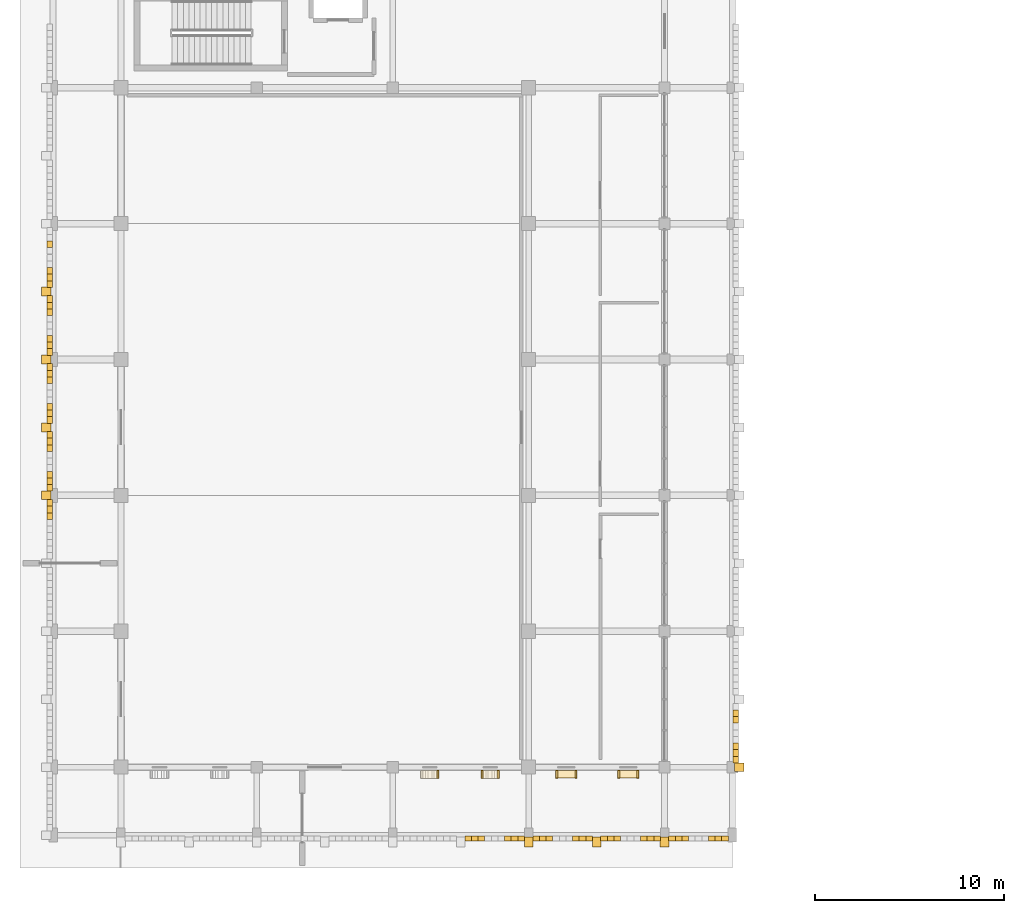
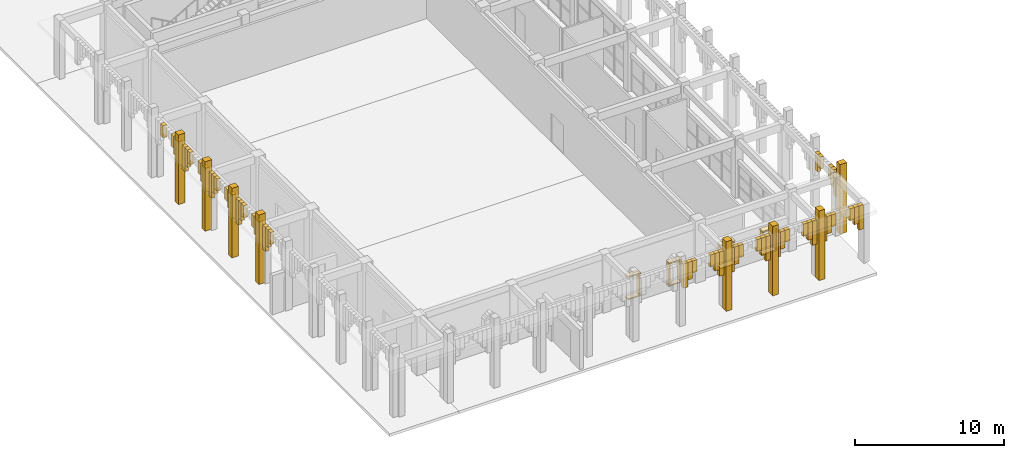
# One storey, part 47 of 72: 77 coverings.
"""IFC4 building model written with IfcOpenShell, lengths in metres."""

from ifc_helpers import new_model, si_unit, direction, frame, origin, origin_2d, place, context, subcontext, project, spatial, rectangle, extrude, material, layer, layer_set, type_object, element, save


model = new_model("IFC4")

# Units and contexts
model_context = context("Model", 3, precision=1e-05, world=origin(), true_north=direction((0.0, 1.0)))
body_context = subcontext(model_context, "Body", "Model", "MODEL_VIEW")
ifc_project = project(units=[si_unit("LENGTHUNIT", "METRE"), si_unit("AREAUNIT", "SQUARE_METRE"), si_unit("VOLUMEUNIT", "CUBIC_METRE"), si_unit("PLANEANGLEUNIT", "RADIAN"), si_unit("MASSUNIT", "GRAM", prefix="KILO")], contexts=[model_context])

# Site, building, storey
site_placement = place(None, origin())
site = spatial("IfcSite", under=ifc_project, at=site_placement, CompositionType="ELEMENT")
building_placement = place(site_placement, origin())
building = spatial("IfcBuilding", under=site, at=building_placement, Name="Nzembalo Square Collegiate School", CompositionType="ELEMENT")
storey_placement = place(building_placement, origin())
storey = spatial("IfcBuildingStorey", under=building, at=storey_placement, Name="L00", CompositionType="ELEMENT", Elevation=0.0)

# Coverings
ifc_material_1 = material(Name="Precast concrete C40/50 arch voussoir", Category="concrete")
ifc_layer_1 = layer(ifc_material_1, 0.1201171875, Name="Precast concrete C40/50 arch voussoir")
ifc_layer_set_1 = layer_set([ifc_layer_1], Name="Precast concrete C40/50 arch voussoir")
covering_type_1 = type_object("IfcCoveringType", Name="AR01", PredefinedType="CLADDING", material=ifc_layer_set_1)
covering_1_placement = place(storey_placement, frame((4.6201171875, 21.7021484375, 3.810546875), z_axis=(0.0, 0.0, 1.0), x_axis=(1.0, 0.0, 0.0)))
element("IfcCovering", 1, at=covering_1_placement, inside=storey, type_object=covering_type_1, Name="Gothic pointed arch voussoir AR01-005-6", PredefinedType="CLADDING", context=body_context, shape_type="SweptSolid", body=[
    extrude(rectangle(XDim=0.280029296875, YDim=0.35107421875, at=origin_2d()), origin(), (0.0, 0.0, 1.0), 0.989501953125),
])
covering_2_placement = place(storey_placement, frame((4.6201171875, 22.05322265625, 3.361328125), z_axis=(0.0, 0.0, 1.0), x_axis=(1.0, 0.0, 0.0)))
element("IfcCovering", 2, at=covering_2_placement, inside=storey, type_object=covering_type_1, Name="Gothic pointed arch voussoir AR01-005-7", PredefinedType="CLADDING", context=body_context, shape_type="SweptSolid", body=[
    extrude(rectangle(XDim=0.280029296875, YDim=0.35107421875, at=origin_2d()), origin(), (0.0, 0.0, 1.0), 1.438720703125),
])
covering_3_placement = place(storey_placement, frame((4.6201171875, 22.404296875, 2.80859375), z_axis=(0.0, 0.0, 1.0), x_axis=(1.0, 0.0, 0.0)))
element("IfcCovering", 3, at=covering_3_placement, inside=storey, type_object=covering_type_1, Name="Gothic pointed arch voussoir AR01-005-8", PredefinedType="CLADDING", context=body_context, shape_type="SweptSolid", body=[
    extrude(rectangle(XDim=0.280029296875, YDim=0.35107421875, at=origin_2d()), origin(), (0.0, 0.0, 1.0), 1.991455078125),
])
covering_4_placement = place(storey_placement, frame((4.6201171875, 23.195556640625, 2.808349609375), z_axis=(0.0, 0.0, 1.0), x_axis=(1.0, 0.0, 0.0)))
element("IfcCovering", 4, at=covering_4_placement, inside=storey, type_object=covering_type_1, Name="Gothic pointed arch voussoir AR01-006-0", PredefinedType="CLADDING", context=body_context, shape_type="SweptSolid", body=[
    extrude(rectangle(XDim=0.280029296875, YDim=0.35107421875, at=origin_2d()), origin(), (0.0, 0.0, 1.0), 1.99169921875),
])
covering_5_placement = place(storey_placement, frame((4.6201171875, 23.546630859375, 3.361083984375), z_axis=(0.0, 0.0, 1.0), x_axis=(1.0, 0.0, 0.0)))
element("IfcCovering", 5, at=covering_5_placement, inside=storey, type_object=covering_type_1, Name="Gothic pointed arch voussoir AR01-006-1", PredefinedType="CLADDING", context=body_context, shape_type="SweptSolid", body=[
    extrude(rectangle(XDim=0.280029296875, YDim=0.35107421875, at=origin_2d()), origin(), (0.0, 0.0, 1.0), 1.43896484375),
])
for number, where, z_axis, x_axis, name in (
    (6, (4.6201171875, 23.897705078125, 3.810546875), (0.0, 0.0, 1.0), (1.0, 0.0, 0.0), "Gothic pointed arch voussoir AR01-006-2"),
    (7, (4.6201171875, 25.30224609375, 3.810546875), (0.0, 0.0, 1.0), (1.0, 0.0, 0.0), "Gothic pointed arch voussoir AR01-006-6"),
):
    element("IfcCovering", number, at=place(storey_placement, frame(where, z_axis=z_axis, x_axis=x_axis)), inside=storey, type_object=covering_type_1, Name=name, PredefinedType="CLADDING", context=body_context, shape_type="SweptSolid", body=[
        extrude(rectangle(XDim=0.280029296875, YDim=0.35107421875, at=origin_2d()), origin(), (0.0, 0.0, 1.0), 0.989501953125),
    ])
covering_6_placement = place(storey_placement, frame((4.6201171875, 25.6533203125, 3.361328125), z_axis=(0.0, 0.0, 1.0), x_axis=(1.0, 0.0, 0.0)))
element("IfcCovering", 8, at=covering_6_placement, inside=storey, type_object=covering_type_1, Name="Gothic pointed arch voussoir AR01-006-7", PredefinedType="CLADDING", context=body_context, shape_type="SweptSolid", body=[
    extrude(rectangle(XDim=0.280029296875, YDim=0.35107421875, at=origin_2d()), origin(), (0.0, 0.0, 1.0), 1.438720703125),
])
covering_7_placement = place(storey_placement, frame((4.6201171875, 26.00439453125, 2.80859375), z_axis=(0.0, 0.0, 1.0), x_axis=(1.0, 0.0, 0.0)))
element("IfcCovering", 9, at=covering_7_placement, inside=storey, type_object=covering_type_1, Name="Gothic pointed arch voussoir AR01-006-8", PredefinedType="CLADDING", context=body_context, shape_type="SweptSolid", body=[
    extrude(rectangle(XDim=0.280029296875, YDim=0.35107421875, at=origin_2d()), origin(), (0.0, 0.0, 1.0), 1.991455078125),
])
covering_8_placement = place(storey_placement, frame((4.43994140625, 22.800048828125, 0.0), z_axis=(0.0, 0.0, 1.0), x_axis=(1.0, 0.0, 0.0)))
element("IfcCovering", 10, at=covering_8_placement, inside=storey, type_object=covering_type_1, Name="Gothic arcade buttress pinnacle AR01-B006", PredefinedType="CLADDING", context=body_context, shape_type="SweptSolid", body=[
    extrude(rectangle(XDim=0.52001953125, YDim=0.4599609375, at=origin_2d()), origin(), (0.0, 0.0, 1.0), 5.699951171875),
])
covering_9_placement = place(storey_placement, frame((4.6201171875, 26.795654296875, 2.808349609375), z_axis=(0.0, 0.0, 1.0), x_axis=(1.0, 0.0, 0.0)))
element("IfcCovering", 11, at=covering_9_placement, inside=storey, type_object=covering_type_1, Name="Gothic pointed arch voussoir AR01-007-0", PredefinedType="CLADDING", context=body_context, shape_type="SweptSolid", body=[
    extrude(rectangle(XDim=0.280029296875, YDim=0.35107421875, at=origin_2d()), origin(), (0.0, 0.0, 1.0), 1.99169921875),
])
covering_10_placement = place(storey_placement, frame((4.6201171875, 27.146728515625, 3.361083984375), z_axis=(0.0, 0.0, 1.0), x_axis=(1.0, 0.0, 0.0)))
element("IfcCovering", 12, at=covering_10_placement, inside=storey, type_object=covering_type_1, Name="Gothic pointed arch voussoir AR01-007-1", PredefinedType="CLADDING", context=body_context, shape_type="SweptSolid", body=[
    extrude(rectangle(XDim=0.280029296875, YDim=0.35107421875, at=origin_2d()), origin(), (0.0, 0.0, 1.0), 1.43896484375),
])
for number, where, z_axis, x_axis, name in (
    (13, (4.6201171875, 27.497802734375, 3.810546875), (0.0, 0.0, 1.0), (1.0, 0.0, 0.0), "Gothic pointed arch voussoir AR01-007-2"),
    (14, (4.6201171875, 28.902099609375, 3.810546875), (0.0, 0.0, 1.0), (1.0, 0.0, 0.0), "Gothic pointed arch voussoir AR01-007-6"),
):
    element("IfcCovering", number, at=place(storey_placement, frame(where, z_axis=z_axis, x_axis=x_axis)), inside=storey, type_object=covering_type_1, Name=name, PredefinedType="CLADDING", context=body_context, shape_type="SweptSolid", body=[
        extrude(rectangle(XDim=0.280029296875, YDim=0.35107421875, at=origin_2d()), origin(), (0.0, 0.0, 1.0), 0.989501953125),
    ])
covering_11_placement = place(storey_placement, frame((4.6201171875, 29.25341796875, 3.361328125), z_axis=(0.0, 0.0, 1.0), x_axis=(1.0, 0.0, 0.0)))
element("IfcCovering", 15, at=covering_11_placement, inside=storey, type_object=covering_type_1, Name="Gothic pointed arch voussoir AR01-007-7", PredefinedType="CLADDING", context=body_context, shape_type="SweptSolid", body=[
    extrude(rectangle(XDim=0.280029296875, YDim=0.35107421875, at=origin_2d()), origin(), (0.0, 0.0, 1.0), 1.438720703125),
])
covering_12_placement = place(storey_placement, frame((4.6201171875, 29.6044921875, 2.80859375), z_axis=(0.0, 0.0, 1.0), x_axis=(1.0, 0.0, 0.0)))
element("IfcCovering", 16, at=covering_12_placement, inside=storey, type_object=covering_type_1, Name="Gothic pointed arch voussoir AR01-007-8", PredefinedType="CLADDING", context=body_context, shape_type="SweptSolid", body=[
    extrude(rectangle(XDim=0.280029296875, YDim=0.35107421875, at=origin_2d()), origin(), (0.0, 0.0, 1.0), 1.991455078125),
])
covering_13_placement = place(storey_placement, frame((4.43994140625, 26.39990234375, 0.0), z_axis=(0.0, 0.0, 1.0), x_axis=(1.0, 0.0, 0.0)))
element("IfcCovering", 17, at=covering_13_placement, inside=storey, type_object=covering_type_1, Name="Gothic arcade buttress pinnacle AR01-B007", PredefinedType="CLADDING", context=body_context, shape_type="SweptSolid", body=[
    extrude(rectangle(XDim=0.52001953125, YDim=0.4599609375, at=origin_2d()), origin(), (0.0, 0.0, 1.0), 5.699951171875),
])
covering_14_placement = place(storey_placement, frame((4.6201171875, 30.3955078125, 2.808349609375), z_axis=(0.0, 0.0, 1.0), x_axis=(1.0, 0.0, 0.0)))
element("IfcCovering", 18, at=covering_14_placement, inside=storey, type_object=covering_type_1, Name="Gothic pointed arch voussoir AR01-008-0", PredefinedType="CLADDING", context=body_context, shape_type="SweptSolid", body=[
    extrude(rectangle(XDim=0.280029296875, YDim=0.35107421875, at=origin_2d()), origin(), (0.0, 0.0, 1.0), 1.99169921875),
])
covering_15_placement = place(storey_placement, frame((4.6201171875, 30.74658203125, 3.361083984375), z_axis=(0.0, 0.0, 1.0), x_axis=(1.0, 0.0, 0.0)))
element("IfcCovering", 19, at=covering_15_placement, inside=storey, type_object=covering_type_1, Name="Gothic pointed arch voussoir AR01-008-1", PredefinedType="CLADDING", context=body_context, shape_type="SweptSolid", body=[
    extrude(rectangle(XDim=0.280029296875, YDim=0.35107421875, at=origin_2d()), origin(), (0.0, 0.0, 1.0), 1.43896484375),
])
for number, where, z_axis, x_axis, name in (
    (20, (4.6201171875, 31.097900390625, 3.810546875), (0.0, 0.0, 1.0), (1.0, 0.0, 0.0), "Gothic pointed arch voussoir AR01-008-2"),
    (21, (4.6201171875, 32.502197265625, 3.810546875), (0.0, 0.0, 1.0), (1.0, 0.0, 0.0), "Gothic pointed arch voussoir AR01-008-6"),
):
    element("IfcCovering", number, at=place(storey_placement, frame(where, z_axis=z_axis, x_axis=x_axis)), inside=storey, type_object=covering_type_1, Name=name, PredefinedType="CLADDING", context=body_context, shape_type="SweptSolid", body=[
        extrude(rectangle(XDim=0.280029296875, YDim=0.35107421875, at=origin_2d()), origin(), (0.0, 0.0, 1.0), 0.989501953125),
    ])
covering_16_placement = place(storey_placement, frame((4.6201171875, 32.853271484375, 3.361328125), z_axis=(0.0, 0.0, 1.0), x_axis=(1.0, 0.0, 0.0)))
element("IfcCovering", 22, at=covering_16_placement, inside=storey, type_object=covering_type_1, Name="Gothic pointed arch voussoir AR01-008-7", PredefinedType="CLADDING", context=body_context, shape_type="SweptSolid", body=[
    extrude(rectangle(XDim=0.280029296875, YDim=0.35107421875, at=origin_2d()), origin(), (0.0, 0.0, 1.0), 1.438720703125),
])
covering_17_placement = place(storey_placement, frame((4.6201171875, 33.204345703125, 2.80859375), z_axis=(0.0, 0.0, 1.0), x_axis=(1.0, 0.0, 0.0)))
element("IfcCovering", 23, at=covering_17_placement, inside=storey, type_object=covering_type_1, Name="Gothic pointed arch voussoir AR01-008-8", PredefinedType="CLADDING", context=body_context, shape_type="SweptSolid", body=[
    extrude(rectangle(XDim=0.280029296875, YDim=0.35107421875, at=origin_2d()), origin(), (0.0, 0.0, 1.0), 1.991455078125),
])
covering_18_placement = place(storey_placement, frame((4.43994140625, 30.0, 0.0), z_axis=(0.0, 0.0, 1.0), x_axis=(1.0, 0.0, 0.0)))
element("IfcCovering", 24, at=covering_18_placement, inside=storey, type_object=covering_type_1, Name="Gothic arcade buttress pinnacle AR01-B008", PredefinedType="CLADDING", context=body_context, shape_type="SweptSolid", body=[
    extrude(rectangle(XDim=0.52001953125, YDim=0.4599609375, at=origin_2d()), origin(), (0.0, 0.0, 1.0), 5.699951171875),
])
covering_19_placement = place(storey_placement, frame((4.6201171875, 33.99560546875, 2.808349609375), z_axis=(0.0, 0.0, 1.0), x_axis=(1.0, 0.0, 0.0)))
element("IfcCovering", 25, at=covering_19_placement, inside=storey, type_object=covering_type_1, Name="Gothic pointed arch voussoir AR01-009-0", PredefinedType="CLADDING", context=body_context, shape_type="SweptSolid", body=[
    extrude(rectangle(XDim=0.280029296875, YDim=0.35107421875, at=origin_2d()), origin(), (0.0, 0.0, 1.0), 1.99169921875),
])
covering_20_placement = place(storey_placement, frame((4.6201171875, 34.3466796875, 3.361083984375), z_axis=(0.0, 0.0, 1.0), x_axis=(1.0, 0.0, 0.0)))
element("IfcCovering", 26, at=covering_20_placement, inside=storey, type_object=covering_type_1, Name="Gothic pointed arch voussoir AR01-009-1", PredefinedType="CLADDING", context=body_context, shape_type="SweptSolid", body=[
    extrude(rectangle(XDim=0.280029296875, YDim=0.35107421875, at=origin_2d()), origin(), (0.0, 0.0, 1.0), 1.43896484375),
])
for number, where, z_axis, x_axis, name in (
    (27, (4.6201171875, 34.69775390625, 3.810546875), (0.0, 0.0, 1.0), (1.0, 0.0, 0.0), "Gothic pointed arch voussoir AR01-009-2"),
    (28, (4.6201171875, 36.102294921875, 3.810546875), (0.0, 0.0, 1.0), (1.0, 0.0, 0.0), "Gothic pointed arch voussoir AR01-009-6"),
):
    element("IfcCovering", number, at=place(storey_placement, frame(where, z_axis=z_axis, x_axis=x_axis)), inside=storey, type_object=covering_type_1, Name=name, PredefinedType="CLADDING", context=body_context, shape_type="SweptSolid", body=[
        extrude(rectangle(XDim=0.280029296875, YDim=0.35107421875, at=origin_2d()), origin(), (0.0, 0.0, 1.0), 0.989501953125),
    ])
covering_21_placement = place(storey_placement, frame((4.43994140625, 33.60009765625, 0.0), z_axis=(0.0, 0.0, 1.0), x_axis=(1.0, 0.0, 0.0)))
element("IfcCovering", 29, at=covering_21_placement, inside=storey, type_object=covering_type_1, Name="Gothic arcade buttress pinnacle AR01-B009", PredefinedType="CLADDING", context=body_context, shape_type="SweptSolid", body=[
    extrude(rectangle(XDim=0.52001953125, YDim=0.4599609375, at=origin_2d()), origin(), (0.0, 0.0, 1.0), 5.699951171875),
])
covering_22_placement = place(storey_placement, frame((26.795654296875, 4.6201171875, 2.808349609375), z_axis=(0.0, 0.0, 1.0), x_axis=(1.0, 0.0, 0.0)))
element("IfcCovering", 30, at=covering_22_placement, inside=storey, type_object=covering_type_1, Name="Gothic pointed arch voussoir AR01-027-0", PredefinedType="CLADDING", context=body_context, shape_type="SweptSolid", body=[
    extrude(rectangle(XDim=0.35107421875, YDim=0.280029296875, at=origin_2d()), origin(), (0.0, 0.0, 1.0), 1.99169921875),
])
covering_23_placement = place(storey_placement, frame((27.146728515625, 4.6201171875, 3.361083984375), z_axis=(0.0, 0.0, 1.0), x_axis=(1.0, 0.0, 0.0)))
element("IfcCovering", 31, at=covering_23_placement, inside=storey, type_object=covering_type_1, Name="Gothic pointed arch voussoir AR01-027-1", PredefinedType="CLADDING", context=body_context, shape_type="SweptSolid", body=[
    extrude(rectangle(XDim=0.35107421875, YDim=0.280029296875, at=origin_2d()), origin(), (0.0, 0.0, 1.0), 1.43896484375),
])
for number, where, z_axis, x_axis, name in (
    (32, (27.497802734375, 4.6201171875, 3.810546875), (0.0, 0.0, 1.0), (1.0, 0.0, 0.0), "Gothic pointed arch voussoir AR01-027-2"),
    (33, (28.902099609375, 4.6201171875, 3.810546875), (0.0, 0.0, 1.0), (1.0, 0.0, 0.0), "Gothic pointed arch voussoir AR01-027-6"),
):
    element("IfcCovering", number, at=place(storey_placement, frame(where, z_axis=z_axis, x_axis=x_axis)), inside=storey, type_object=covering_type_1, Name=name, PredefinedType="CLADDING", context=body_context, shape_type="SweptSolid", body=[
        extrude(rectangle(XDim=0.35107421875, YDim=0.280029296875, at=origin_2d()), origin(), (0.0, 0.0, 1.0), 0.989501953125),
    ])
covering_24_placement = place(storey_placement, frame((29.25341796875, 4.6201171875, 3.361328125), z_axis=(0.0, 0.0, 1.0), x_axis=(1.0, 0.0, 0.0)))
element("IfcCovering", 34, at=covering_24_placement, inside=storey, type_object=covering_type_1, Name="Gothic pointed arch voussoir AR01-027-7", PredefinedType="CLADDING", context=body_context, shape_type="SweptSolid", body=[
    extrude(rectangle(XDim=0.35107421875, YDim=0.280029296875, at=origin_2d()), origin(), (0.0, 0.0, 1.0), 1.438720703125),
])
covering_25_placement = place(storey_placement, frame((29.6044921875, 4.6201171875, 2.80859375), z_axis=(0.0, 0.0, 1.0), x_axis=(1.0, 0.0, 0.0)))
element("IfcCovering", 35, at=covering_25_placement, inside=storey, type_object=covering_type_1, Name="Gothic pointed arch voussoir AR01-027-8", PredefinedType="CLADDING", context=body_context, shape_type="SweptSolid", body=[
    extrude(rectangle(XDim=0.35107421875, YDim=0.280029296875, at=origin_2d()), origin(), (0.0, 0.0, 1.0), 1.991455078125),
])
covering_26_placement = place(storey_placement, frame((30.3955078125, 4.6201171875, 2.808349609375), z_axis=(0.0, 0.0, 1.0), x_axis=(1.0, 0.0, 0.0)))
element("IfcCovering", 36, at=covering_26_placement, inside=storey, type_object=covering_type_1, Name="Gothic pointed arch voussoir AR01-028-0", PredefinedType="CLADDING", context=body_context, shape_type="SweptSolid", body=[
    extrude(rectangle(XDim=0.35107421875, YDim=0.280029296875, at=origin_2d()), origin(), (0.0, 0.0, 1.0), 1.99169921875),
])
covering_27_placement = place(storey_placement, frame((30.74658203125, 4.6201171875, 3.361083984375), z_axis=(0.0, 0.0, 1.0), x_axis=(1.0, 0.0, 0.0)))
element("IfcCovering", 37, at=covering_27_placement, inside=storey, type_object=covering_type_1, Name="Gothic pointed arch voussoir AR01-028-1", PredefinedType="CLADDING", context=body_context, shape_type="SweptSolid", body=[
    extrude(rectangle(XDim=0.35107421875, YDim=0.280029296875, at=origin_2d()), origin(), (0.0, 0.0, 1.0), 1.43896484375),
])
for number, where, z_axis, x_axis, name in (
    (38, (31.097900390625, 4.6201171875, 3.810546875), (0.0, 0.0, 1.0), (1.0, 0.0, 0.0), "Gothic pointed arch voussoir AR01-028-2"),
    (39, (32.502197265625, 4.6201171875, 3.810546875), (0.0, 0.0, 1.0), (1.0, 0.0, 0.0), "Gothic pointed arch voussoir AR01-028-6"),
):
    element("IfcCovering", number, at=place(storey_placement, frame(where, z_axis=z_axis, x_axis=x_axis)), inside=storey, type_object=covering_type_1, Name=name, PredefinedType="CLADDING", context=body_context, shape_type="SweptSolid", body=[
        extrude(rectangle(XDim=0.35107421875, YDim=0.280029296875, at=origin_2d()), origin(), (0.0, 0.0, 1.0), 0.989501953125),
    ])
covering_28_placement = place(storey_placement, frame((32.853271484375, 4.6201171875, 3.361328125), z_axis=(0.0, 0.0, 1.0), x_axis=(1.0, 0.0, 0.0)))
element("IfcCovering", 40, at=covering_28_placement, inside=storey, type_object=covering_type_1, Name="Gothic pointed arch voussoir AR01-028-7", PredefinedType="CLADDING", context=body_context, shape_type="SweptSolid", body=[
    extrude(rectangle(XDim=0.35107421875, YDim=0.280029296875, at=origin_2d()), origin(), (0.0, 0.0, 1.0), 1.438720703125),
])
covering_29_placement = place(storey_placement, frame((33.204345703125, 4.6201171875, 2.80859375), z_axis=(0.0, 0.0, 1.0), x_axis=(1.0, 0.0, 0.0)))
element("IfcCovering", 41, at=covering_29_placement, inside=storey, type_object=covering_type_1, Name="Gothic pointed arch voussoir AR01-028-8", PredefinedType="CLADDING", context=body_context, shape_type="SweptSolid", body=[
    extrude(rectangle(XDim=0.35107421875, YDim=0.280029296875, at=origin_2d()), origin(), (0.0, 0.0, 1.0), 1.991455078125),
])
covering_30_placement = place(storey_placement, frame((30.0, 4.43994140625, 0.0), z_axis=(0.0, 0.0, 1.0), x_axis=(1.0, 0.0, 0.0)))
element("IfcCovering", 42, at=covering_30_placement, inside=storey, type_object=covering_type_1, Name="Gothic arcade buttress pinnacle AR01-B028", PredefinedType="CLADDING", context=body_context, shape_type="SweptSolid", body=[
    extrude(rectangle(XDim=0.4599609375, YDim=0.52001953125, at=origin_2d()), origin(), (0.0, 0.0, 1.0), 5.699951171875),
])
covering_31_placement = place(storey_placement, frame((33.99560546875, 4.6201171875, 2.808349609375), z_axis=(0.0, 0.0, 1.0), x_axis=(1.0, 0.0, 0.0)))
element("IfcCovering", 43, at=covering_31_placement, inside=storey, type_object=covering_type_1, Name="Gothic pointed arch voussoir AR01-029-0", PredefinedType="CLADDING", context=body_context, shape_type="SweptSolid", body=[
    extrude(rectangle(XDim=0.35107421875, YDim=0.280029296875, at=origin_2d()), origin(), (0.0, 0.0, 1.0), 1.99169921875),
])
covering_32_placement = place(storey_placement, frame((34.3466796875, 4.6201171875, 3.361083984375), z_axis=(0.0, 0.0, 1.0), x_axis=(1.0, 0.0, 0.0)))
element("IfcCovering", 44, at=covering_32_placement, inside=storey, type_object=covering_type_1, Name="Gothic pointed arch voussoir AR01-029-1", PredefinedType="CLADDING", context=body_context, shape_type="SweptSolid", body=[
    extrude(rectangle(XDim=0.35107421875, YDim=0.280029296875, at=origin_2d()), origin(), (0.0, 0.0, 1.0), 1.43896484375),
])
for number, where, z_axis, x_axis, name in (
    (45, (34.69775390625, 4.6201171875, 3.810546875), (0.0, 0.0, 1.0), (1.0, 0.0, 0.0), "Gothic pointed arch voussoir AR01-029-2"),
    (46, (36.102294921875, 4.6201171875, 3.810546875), (0.0, 0.0, 1.0), (1.0, 0.0, 0.0), "Gothic pointed arch voussoir AR01-029-6"),
):
    element("IfcCovering", number, at=place(storey_placement, frame(where, z_axis=z_axis, x_axis=x_axis)), inside=storey, type_object=covering_type_1, Name=name, PredefinedType="CLADDING", context=body_context, shape_type="SweptSolid", body=[
        extrude(rectangle(XDim=0.35107421875, YDim=0.280029296875, at=origin_2d()), origin(), (0.0, 0.0, 1.0), 0.989501953125),
    ])
covering_33_placement = place(storey_placement, frame((36.453369140625, 4.6201171875, 3.361328125), z_axis=(0.0, 0.0, 1.0), x_axis=(1.0, 0.0, 0.0)))
element("IfcCovering", 47, at=covering_33_placement, inside=storey, type_object=covering_type_1, Name="Gothic pointed arch voussoir AR01-029-7", PredefinedType="CLADDING", context=body_context, shape_type="SweptSolid", body=[
    extrude(rectangle(XDim=0.35107421875, YDim=0.280029296875, at=origin_2d()), origin(), (0.0, 0.0, 1.0), 1.438720703125),
])
covering_34_placement = place(storey_placement, frame((36.804443359375, 4.6201171875, 2.80859375), z_axis=(0.0, 0.0, 1.0), x_axis=(1.0, 0.0, 0.0)))
element("IfcCovering", 48, at=covering_34_placement, inside=storey, type_object=covering_type_1, Name="Gothic pointed arch voussoir AR01-029-8", PredefinedType="CLADDING", context=body_context, shape_type="SweptSolid", body=[
    extrude(rectangle(XDim=0.35107421875, YDim=0.280029296875, at=origin_2d()), origin(), (0.0, 0.0, 1.0), 1.991455078125),
])
covering_35_placement = place(storey_placement, frame((33.60009765625, 4.43994140625, 0.0), z_axis=(0.0, 0.0, 1.0), x_axis=(1.0, 0.0, 0.0)))
element("IfcCovering", 49, at=covering_35_placement, inside=storey, type_object=covering_type_1, Name="Gothic arcade buttress pinnacle AR01-B029", PredefinedType="CLADDING", context=body_context, shape_type="SweptSolid", body=[
    extrude(rectangle(XDim=0.4599609375, YDim=0.52001953125, at=origin_2d()), origin(), (0.0, 0.0, 1.0), 5.699951171875),
])
covering_36_placement = place(storey_placement, frame((37.595703125, 4.6201171875, 2.808349609375), z_axis=(0.0, 0.0, 1.0), x_axis=(1.0, 0.0, 0.0)))
element("IfcCovering", 50, at=covering_36_placement, inside=storey, type_object=covering_type_1, Name="Gothic pointed arch voussoir AR01-030-0", PredefinedType="CLADDING", context=body_context, shape_type="SweptSolid", body=[
    extrude(rectangle(XDim=0.35107421875, YDim=0.280029296875, at=origin_2d()), origin(), (0.0, 0.0, 1.0), 1.99169921875),
])
covering_37_placement = place(storey_placement, frame((37.94677734375, 4.6201171875, 3.361083984375), z_axis=(0.0, 0.0, 1.0), x_axis=(1.0, 0.0, 0.0)))
element("IfcCovering", 51, at=covering_37_placement, inside=storey, type_object=covering_type_1, Name="Gothic pointed arch voussoir AR01-030-1", PredefinedType="CLADDING", context=body_context, shape_type="SweptSolid", body=[
    extrude(rectangle(XDim=0.35107421875, YDim=0.280029296875, at=origin_2d()), origin(), (0.0, 0.0, 1.0), 1.43896484375),
])
for number, where, z_axis, x_axis, name in (
    (52, (38.2978515625, 4.6201171875, 3.810546875), (0.0, 0.0, 1.0), (1.0, 0.0, 0.0), "Gothic pointed arch voussoir AR01-030-2"),
    (53, (39.7021484375, 4.6201171875, 3.810546875), (0.0, 0.0, 1.0), (1.0, 0.0, 0.0), "Gothic pointed arch voussoir AR01-030-6"),
):
    element("IfcCovering", number, at=place(storey_placement, frame(where, z_axis=z_axis, x_axis=x_axis)), inside=storey, type_object=covering_type_1, Name=name, PredefinedType="CLADDING", context=body_context, shape_type="SweptSolid", body=[
        extrude(rectangle(XDim=0.35107421875, YDim=0.280029296875, at=origin_2d()), origin(), (0.0, 0.0, 1.0), 0.989501953125),
    ])
covering_38_placement = place(storey_placement, frame((40.05322265625, 4.6201171875, 3.361328125), z_axis=(0.0, 0.0, 1.0), x_axis=(1.0, 0.0, 0.0)))
element("IfcCovering", 54, at=covering_38_placement, inside=storey, type_object=covering_type_1, Name="Gothic pointed arch voussoir AR01-030-7", PredefinedType="CLADDING", context=body_context, shape_type="SweptSolid", body=[
    extrude(rectangle(XDim=0.35107421875, YDim=0.280029296875, at=origin_2d()), origin(), (0.0, 0.0, 1.0), 1.438720703125),
])
covering_39_placement = place(storey_placement, frame((40.404296875, 4.6201171875, 2.80859375), z_axis=(0.0, 0.0, 1.0), x_axis=(1.0, 0.0, 0.0)))
element("IfcCovering", 55, at=covering_39_placement, inside=storey, type_object=covering_type_1, Name="Gothic pointed arch voussoir AR01-030-8", PredefinedType="CLADDING", context=body_context, shape_type="SweptSolid", body=[
    extrude(rectangle(XDim=0.35107421875, YDim=0.280029296875, at=origin_2d()), origin(), (0.0, 0.0, 1.0), 1.991455078125),
])
covering_40_placement = place(storey_placement, frame((37.199951171875, 4.43994140625, 0.0), z_axis=(0.0, 0.0, 1.0), x_axis=(1.0, 0.0, 0.0)))
element("IfcCovering", 56, at=covering_40_placement, inside=storey, type_object=covering_type_1, Name="Gothic arcade buttress pinnacle AR01-B030", PredefinedType="CLADDING", context=body_context, shape_type="SweptSolid", body=[
    extrude(rectangle(XDim=0.4599609375, YDim=0.52001953125, at=origin_2d()), origin(), (0.0, 0.0, 1.0), 5.699951171875),
])
covering_41_placement = place(storey_placement, frame((40.97998046875, 8.795654296875, 2.808349609375), z_axis=(0.0, 0.0, 1.0), x_axis=(1.0, 0.0, 0.0)))
element("IfcCovering", 57, at=covering_41_placement, inside=storey, type_object=covering_type_1, Name="Gothic pointed arch voussoir AR01-031-0", PredefinedType="CLADDING", context=body_context, shape_type="SweptSolid", body=[
    extrude(rectangle(XDim=0.280029296875, YDim=0.35107421875, at=origin_2d()), origin(), (0.0, 0.0, 1.0), 1.99169921875),
])
covering_42_placement = place(storey_placement, frame((40.97998046875, 9.146728515625, 3.361083984375), z_axis=(0.0, 0.0, 1.0), x_axis=(1.0, 0.0, 0.0)))
element("IfcCovering", 58, at=covering_42_placement, inside=storey, type_object=covering_type_1, Name="Gothic pointed arch voussoir AR01-031-1", PredefinedType="CLADDING", context=body_context, shape_type="SweptSolid", body=[
    extrude(rectangle(XDim=0.280029296875, YDim=0.35107421875, at=origin_2d()), origin(), (0.0, 0.0, 1.0), 1.43896484375),
])
for number, where, z_axis, x_axis, name in (
    (59, (40.97998046875, 9.497802734375, 3.810546875), (0.0, 0.0, 1.0), (1.0, 0.0, 0.0), "Gothic pointed arch voussoir AR01-031-2"),
    (60, (40.97998046875, 10.902099609375, 3.810546875), (0.0, 0.0, 1.0), (1.0, 0.0, 0.0), "Gothic pointed arch voussoir AR01-031-6"),
):
    element("IfcCovering", number, at=place(storey_placement, frame(where, z_axis=z_axis, x_axis=x_axis)), inside=storey, type_object=covering_type_1, Name=name, PredefinedType="CLADDING", context=body_context, shape_type="SweptSolid", body=[
        extrude(rectangle(XDim=0.280029296875, YDim=0.35107421875, at=origin_2d()), origin(), (0.0, 0.0, 1.0), 0.989501953125),
    ])
covering_43_placement = place(storey_placement, frame((40.97998046875, 11.25341796875, 3.361328125), z_axis=(0.0, 0.0, 1.0), x_axis=(1.0, 0.0, 0.0)))
element("IfcCovering", 61, at=covering_43_placement, inside=storey, type_object=covering_type_1, Name="Gothic pointed arch voussoir AR01-031-7", PredefinedType="CLADDING", context=body_context, shape_type="SweptSolid", body=[
    extrude(rectangle(XDim=0.280029296875, YDim=0.35107421875, at=origin_2d()), origin(), (0.0, 0.0, 1.0), 1.438720703125),
])
covering_44_placement = place(storey_placement, frame((41.159912109375, 8.39990234375, 0.0), z_axis=(0.0, 0.0, 1.0), x_axis=(1.0, 0.0, 0.0)))
element("IfcCovering", 62, at=covering_44_placement, inside=storey, type_object=covering_type_1, Name="Gothic arcade buttress pinnacle AR01-B031", PredefinedType="CLADDING", context=body_context, shape_type="SweptSolid", body=[
    extrude(rectangle(XDim=0.52001953125, YDim=0.4599609375, at=origin_2d()), origin(), (0.0, 0.0, 1.0), 5.699951171875),
])
ifc_material_2 = material(Name="Glazed celadon ceramic window frame")
ifc_layer_2 = layer(ifc_material_2, 0.419921875, Name="Glazed celadon ceramic window frame")
ifc_layer_set_2 = layer_set([ifc_layer_2], Name="Glazed celadon ceramic window frame")
covering_type_2 = type_object("IfcCoveringType", Name="WF01", PredefinedType="CLADDING", material=ifc_layer_set_2)
covering_45_placement = place(storey_placement, frame((24.7646484375, 8.014892578125, 2.455078125), z_axis=(0.0, 0.0, 1.0), x_axis=(1.0, 0.0, 0.0)))
element("IfcCovering", 63, at=covering_45_placement, inside=storey, type_object=covering_type_2, Name="Deep lancet window hood WF01-0003", PredefinedType="CLADDING", context=body_context, shape_type="SweptSolid", body=[
    extrude(rectangle(XDim=0.989990234375, YDim=0.419921875, at=origin_2d()), origin(), (0.0, 0.0, 1.0), 0.110107421875),
])
covering_46_placement = place(storey_placement, frame((24.7646484375, 8.014892578125, 0.65478515625), z_axis=(0.0, 0.0, 1.0), x_axis=(1.0, 0.0, 0.0)))
element("IfcCovering", 64, at=covering_46_placement, inside=storey, type_object=covering_type_2, Name="Deep lancet window sill WF01-0003", PredefinedType="CLADDING", context=body_context, shape_type="SweptSolid", body=[
    extrude(rectangle(XDim=0.989990234375, YDim=0.419921875, at=origin_2d()), origin(), (0.0, 0.0, 1.0), 0.090087890625),
])
covering_47_placement = place(storey_placement, frame((25.194580078125, 8.014892578125, 0.75), z_axis=(0.0, 0.0, 1.0), x_axis=(1.0, 0.0, 0.0)))
element("IfcCovering", 65, at=covering_47_placement, inside=storey, type_object=covering_type_2, Name="Deep lancet window jamb WF01-0003R", PredefinedType="CLADDING", context=body_context, shape_type="SweptSolid", body=[
    extrude(rectangle(XDim=0.10009765625, YDim=0.419921875, at=origin_2d()), origin(), (0.0, 0.0, 1.0), 1.699951171875),
])
covering_48_placement = place(storey_placement, frame((27.960205078125, 8.014892578125, 2.455078125), z_axis=(0.0, 0.0, 1.0), x_axis=(1.0, 0.0, 0.0)))
element("IfcCovering", 66, at=covering_48_placement, inside=storey, type_object=covering_type_2, Name="Deep lancet window hood WF01-0004", PredefinedType="CLADDING", context=body_context, shape_type="SweptSolid", body=[
    extrude(rectangle(XDim=0.989990234375, YDim=0.419921875, at=origin_2d()), origin(), (0.0, 0.0, 1.0), 0.110107421875),
])
covering_49_placement = place(storey_placement, frame((27.960205078125, 8.014892578125, 0.65478515625), z_axis=(0.0, 0.0, 1.0), x_axis=(1.0, 0.0, 0.0)))
element("IfcCovering", 67, at=covering_49_placement, inside=storey, type_object=covering_type_2, Name="Deep lancet window sill WF01-0004", PredefinedType="CLADDING", context=body_context, shape_type="SweptSolid", body=[
    extrude(rectangle(XDim=0.989990234375, YDim=0.419921875, at=origin_2d()), origin(), (0.0, 0.0, 1.0), 0.090087890625),
])
for number, where, z_axis, x_axis, name in (
    (68, (27.5302734375, 8.014892578125, 0.75), (0.0, 0.0, 1.0), (1.0, 0.0, 0.0), "Deep lancet window jamb WF01-0004L"),
    (69, (28.39013671875, 8.014892578125, 0.75), (0.0, 0.0, 1.0), (1.0, 0.0, 0.0), "Deep lancet window jamb WF01-0004R"),
):
    element("IfcCovering", number, at=place(storey_placement, frame(where, z_axis=z_axis, x_axis=x_axis)), inside=storey, type_object=covering_type_2, Name=name, PredefinedType="CLADDING", context=body_context, shape_type="SweptSolid", body=[
        extrude(rectangle(XDim=0.10009765625, YDim=0.419921875, at=origin_2d()), origin(), (0.0, 0.0, 1.0), 1.699951171875),
    ])
covering_50_placement = place(storey_placement, frame((32.002197265625, 8.02490234375, 2.5048828125), z_axis=(0.0, 0.0, 1.0), x_axis=(1.0, 0.0, 0.0)))
element("IfcCovering", 70, at=covering_50_placement, inside=storey, type_object=covering_type_2, Name="Deep lancet window hood WF01-0008", PredefinedType="CLADDING", context=body_context, shape_type="SweptSolid", body=[
    extrude(rectangle(XDim=1.139892578125, YDim=0.419921875, at=origin_2d()), origin(), (0.0, 0.0, 1.0), 0.110107421875),
])
covering_51_placement = place(storey_placement, frame((32.002197265625, 8.02490234375, 0.65478515625), z_axis=(0.0, 0.0, 1.0), x_axis=(1.0, 0.0, 0.0)))
element("IfcCovering", 71, at=covering_51_placement, inside=storey, type_object=covering_type_2, Name="Deep lancet window sill WF01-0008", PredefinedType="CLADDING", context=body_context, shape_type="SweptSolid", body=[
    extrude(rectangle(XDim=1.139892578125, YDim=0.419921875, at=origin_2d()), origin(), (0.0, 0.0, 1.0), 0.090087890625),
])
for number, where, z_axis, x_axis, name in (
    (72, (31.497314453125, 8.02490234375, 0.75), (0.0, 0.0, 1.0), (1.0, 0.0, 0.0), "Deep lancet window jamb WF01-0008L"),
    (73, (32.507080078125, 8.02490234375, 0.75), (0.0, 0.0, 1.0), (1.0, 0.0, 0.0), "Deep lancet window jamb WF01-0008R"),
):
    element("IfcCovering", number, at=place(storey_placement, frame(where, z_axis=z_axis, x_axis=x_axis)), inside=storey, type_object=covering_type_2, Name=name, PredefinedType="CLADDING", context=body_context, shape_type="SweptSolid", body=[
        extrude(rectangle(XDim=0.10009765625, YDim=0.419921875, at=origin_2d()), origin(), (0.0, 0.0, 1.0), 1.75),
    ])
covering_52_placement = place(storey_placement, frame((35.272705078125, 8.02490234375, 2.5048828125), z_axis=(0.0, 0.0, 1.0), x_axis=(1.0, 0.0, 0.0)))
element("IfcCovering", 74, at=covering_52_placement, inside=storey, type_object=covering_type_2, Name="Deep lancet window hood WF01-0009", PredefinedType="CLADDING", context=body_context, shape_type="SweptSolid", body=[
    extrude(rectangle(XDim=1.139892578125, YDim=0.419921875, at=origin_2d()), origin(), (0.0, 0.0, 1.0), 0.110107421875),
])
covering_53_placement = place(storey_placement, frame((35.272705078125, 8.02490234375, 0.65478515625), z_axis=(0.0, 0.0, 1.0), x_axis=(1.0, 0.0, 0.0)))
element("IfcCovering", 75, at=covering_53_placement, inside=storey, type_object=covering_type_2, Name="Deep lancet window sill WF01-0009", PredefinedType="CLADDING", context=body_context, shape_type="SweptSolid", body=[
    extrude(rectangle(XDim=1.139892578125, YDim=0.419921875, at=origin_2d()), origin(), (0.0, 0.0, 1.0), 0.090087890625),
])
for number, where, z_axis, x_axis, name in (
    (76, (34.767822265625, 8.02490234375, 0.75), (0.0, 0.0, 1.0), (1.0, 0.0, 0.0), "Deep lancet window jamb WF01-0009L"),
    (77, (35.77783203125, 8.02490234375, 0.75), (0.0, 0.0, 1.0), (1.0, 0.0, 0.0), "Deep lancet window jamb WF01-0009R"),
):
    element("IfcCovering", number, at=place(storey_placement, frame(where, z_axis=z_axis, x_axis=x_axis)), inside=storey, type_object=covering_type_2, Name=name, PredefinedType="CLADDING", context=body_context, shape_type="SweptSolid", body=[
        extrude(rectangle(XDim=0.10009765625, YDim=0.419921875, at=origin_2d()), origin(), (0.0, 0.0, 1.0), 1.75),
    ])

save(model, "model.ifc")
